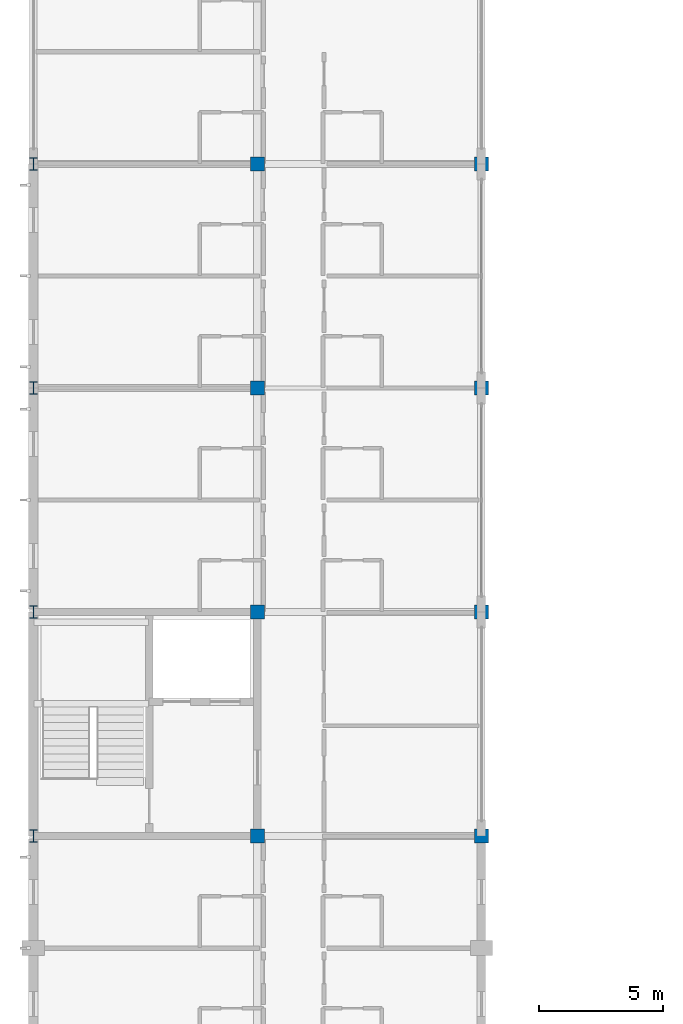
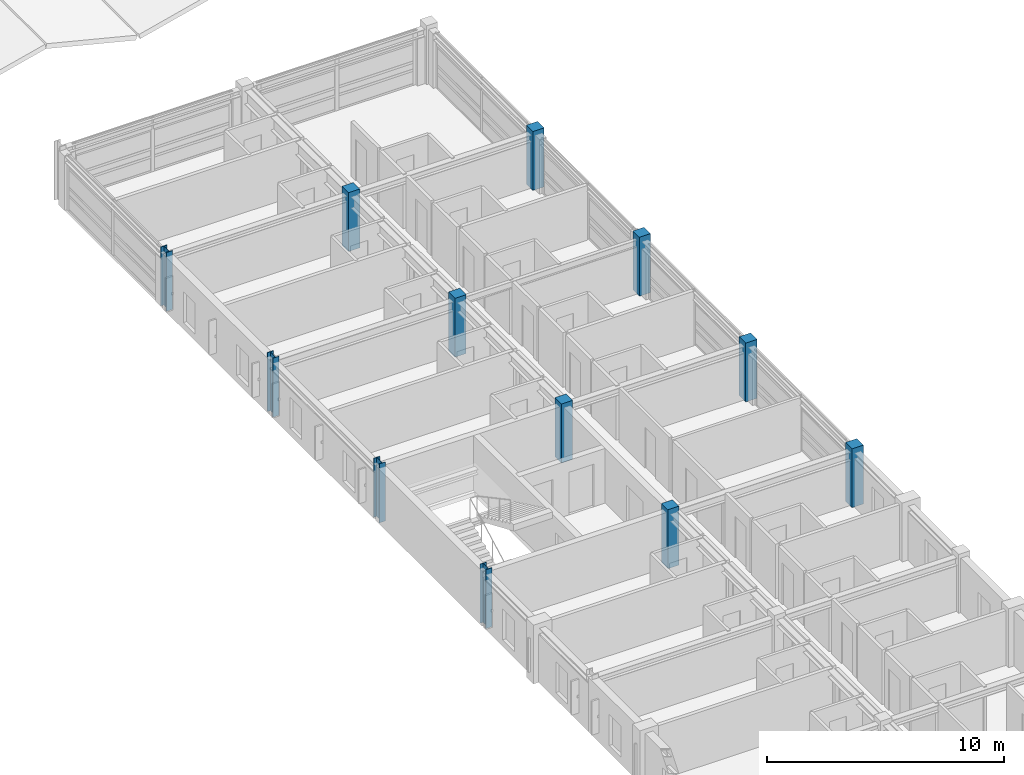
# One storey, part 3 of 37: 12 columns.
"""IFC4 building model written with IfcOpenShell, lengths in metres."""

from ifc_helpers import new_model, si_unit, direction, frame, origin, origin_2d, place, context, subcontext, project, spatial, rectangle, i_section, extrude, material, material_profile, profile_set, type_object, element, save


model = new_model("IFC4")

# Units and contexts
model_context = context("Model", 3, precision=1e-05, world=origin(), true_north=direction((0.0, 1.0)))
body_context = subcontext(model_context, "Body", "Model", "MODEL_VIEW")
ifc_project = project(units=[si_unit("LENGTHUNIT", "METRE"), si_unit("AREAUNIT", "SQUARE_METRE"), si_unit("VOLUMEUNIT", "CUBIC_METRE"), si_unit("PLANEANGLEUNIT", "RADIAN"), si_unit("MASSUNIT", "GRAM", prefix="KILO")], contexts=[model_context])

# Site, building, storey
site_placement = place(None, origin())
site = spatial("IfcSite", under=ifc_project, at=site_placement, CompositionType="ELEMENT")
building_placement = place(site_placement, origin())
building = spatial("IfcBuilding", under=site, at=building_placement, Name="Palais des Congres Ocreval", CompositionType="ELEMENT")
storey_placement = place(building_placement, frame((0.0, 0.0, 11.52001953125)))
storey = spatial("IfcBuildingStorey", under=building, at=storey_placement, Name="L03", CompositionType="ELEMENT", Elevation=11.52001953125)

# Columns
ifc_material_1 = material(Name="Steel S355", Category="steel")
ifc_material_profile_1 = material_profile(ifc_material_1, i_section(OverallWidth=0.300048828125, OverallDepth=0.5, WebThickness=0.014404296875, FlangeThickness=0.028076171875, at=origin_2d()), Name="HEB 500")
ifc_profile_set_1 = profile_set([ifc_material_profile_1], Name="Steel S355")
column_type_1 = type_object("IfcColumnType", Name="Column HEB 500 Steel S355", PredefinedType="COLUMN", material=ifc_profile_set_1)
for number, where, z_axis, x_axis, name in (
    (1, (0.0, 36.0, 0.0), (0.0, 0.0, 1.0), (1.0, 0.0, 0.0), "Column C08 L03"),
    (2, (0.0, 45.0, 0.0), (0.0, 0.0, 1.0), (1.0, 0.0, 0.0), "Column C08 L03"),
    (3, (0.0, 54.0, 0.0), (0.0, 0.0, 1.0), (1.0, 0.0, 0.0), "Column C08 L03"),
    (4, (0.0, 63.0, 0.0), (0.0, 0.0, 1.0), (1.0, 0.0, 0.0), "Column C08 L03"),
):
    element("IfcColumn", number, at=place(storey_placement, frame(where, z_axis=z_axis, x_axis=x_axis)), inside=storey, type_object=column_type_1, Name=name, PredefinedType="COLUMN", context=body_context, shape_type="SweptSolid", body=[
        extrude(i_section(OverallWidth=0.300048828125, OverallDepth=0.5, WebThickness=0.014404296875, FlangeThickness=0.028076171875, at=origin_2d()), origin(), (0.0, 0.0, 1.0), 3.0400390625),
    ])
ifc_material_2 = material(Name="Concrete C40/50", Category="concrete")
ifc_material_profile_2 = material_profile(ifc_material_2, rectangle(XDim=0.550048828125, YDim=0.550048828125, at=origin_2d()), Name="RC 550x550")
ifc_profile_set_2 = profile_set([ifc_material_profile_2], Name="Concrete C40/50")
column_type_2 = type_object("IfcColumnType", Name="Column RC 550x550 Concrete C40/50", PredefinedType="COLUMN", material=ifc_profile_set_2)
for number, where, z_axis, x_axis, name in (
    (5, (9.0, 36.0, 0.0), (0.0, 0.0, 1.0), (1.0, 0.0, 0.0), "Column C24 L03"),
    (6, (9.0, 45.0, 0.0), (0.0, 0.0, 1.0), (1.0, 0.0, 0.0), "Column C24 L03"),
    (7, (9.0, 54.0, 0.0), (0.0, 0.0, 1.0), (1.0, 0.0, 0.0), "Column C24 L03"),
    (8, (9.0, 63.0, 0.0), (0.0, 0.0, 1.0), (1.0, 0.0, 0.0), "Column C24 L03"),
    (9, (18.0, 36.0, 0.0), (0.0, 0.0, 1.0), (1.0, 0.0, 0.0), "Column C24 L03"),
    (10, (18.0, 45.0, 0.0), (0.0, 0.0, 1.0), (1.0, 0.0, 0.0), "Column C24 L03"),
    (11, (18.0, 54.0, 0.0), (0.0, 0.0, 1.0), (1.0, 0.0, 0.0), "Column C24 L03"),
    (12, (18.0, 63.0, 0.0), (0.0, 0.0, 1.0), (1.0, 0.0, 0.0), "Column C24 L03"),
):
    element("IfcColumn", number, at=place(storey_placement, frame(where, z_axis=z_axis, x_axis=x_axis)), inside=storey, type_object=column_type_2, Name=name, PredefinedType="COLUMN", context=body_context, shape_type="SweptSolid", body=[
        extrude(rectangle(XDim=0.550048828125, YDim=0.550048828125, at=origin_2d()), origin(), (0.0, 0.0, 1.0), 3.0400390625),
    ])

save(model, "model.ifc")
